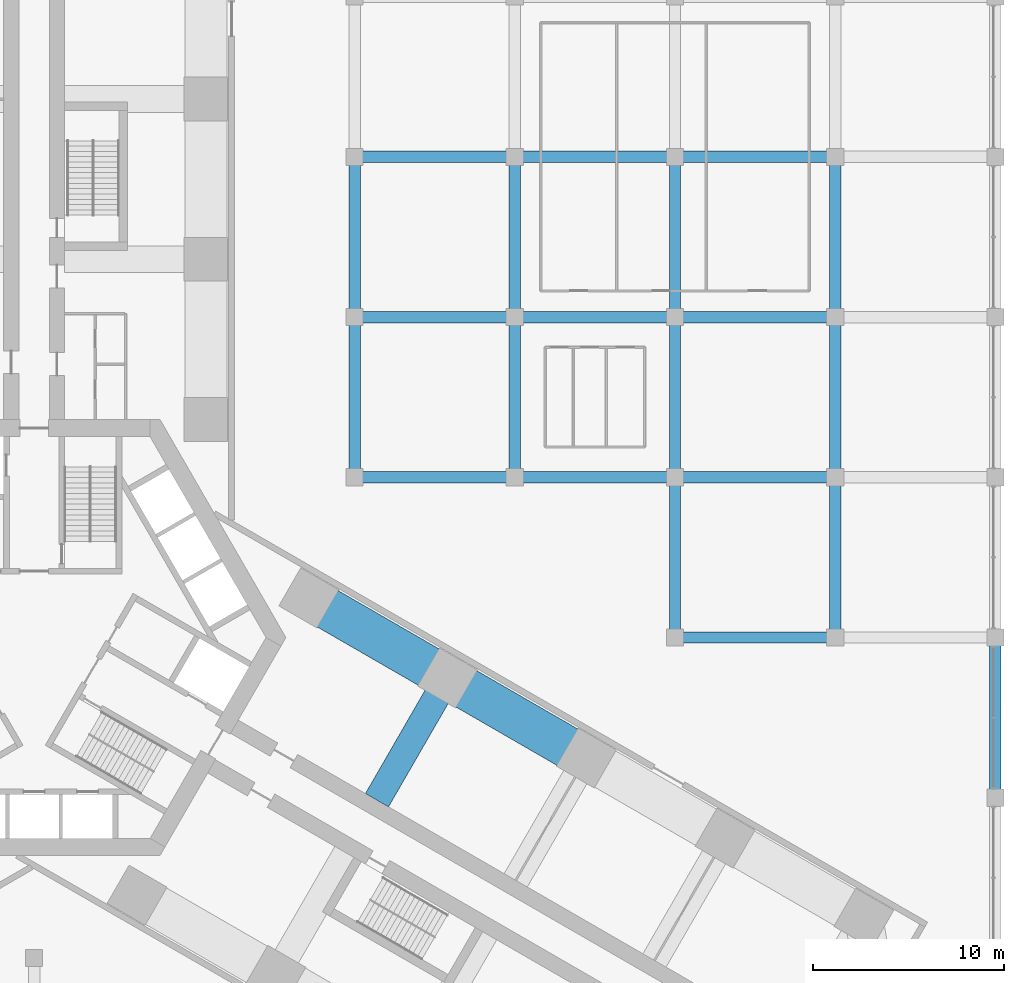
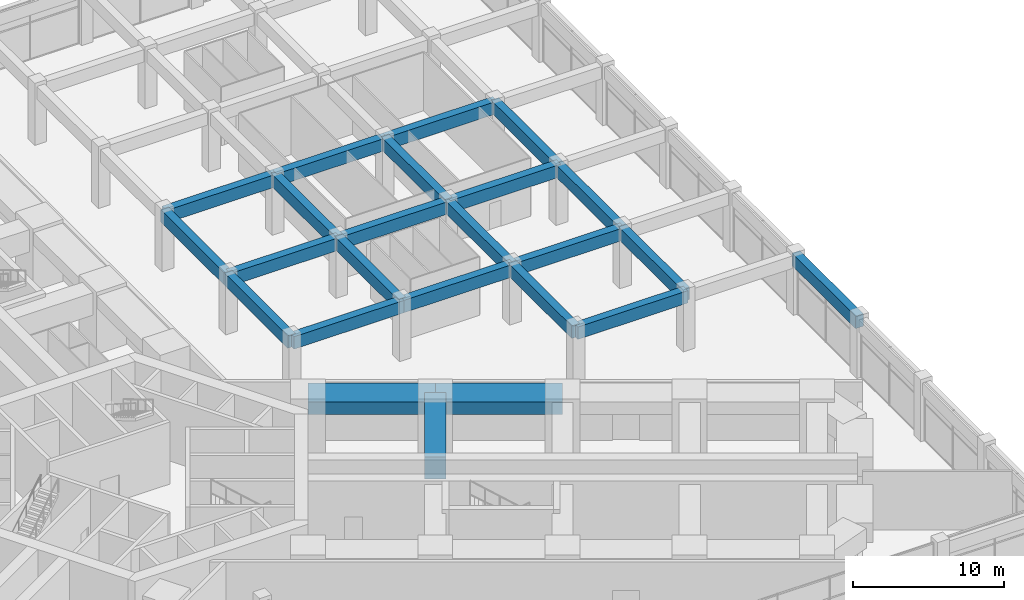
# One storey, part 14 of 36: 24 beams.
"""IFC4 building model written with IfcOpenShell, lengths in metres."""

from ifc_helpers import new_model, si_unit, direction, frame, origin, origin_2d, place, context, subcontext, project, spatial, rectangle, extrude, material, material_profile, profile_set, type_object, element, save


model = new_model("IFC4")

# Units and contexts
model_context = context("Model", 3, precision=1e-05, world=origin(), true_north=direction((0.0, 1.0)))
body_context = subcontext(model_context, "Body", "Model", "MODEL_VIEW")
ifc_project = project(units=[si_unit("LENGTHUNIT", "METRE"), si_unit("AREAUNIT", "SQUARE_METRE"), si_unit("VOLUMEUNIT", "CUBIC_METRE"), si_unit("PLANEANGLEUNIT", "RADIAN"), si_unit("MASSUNIT", "GRAM", prefix="KILO")], contexts=[model_context])

# Site, building, storey
site_placement = place(None, origin())
site = spatial("IfcSite", under=ifc_project, at=site_placement, CompositionType="ELEMENT")
building_placement = place(site_placement, origin())
building = spatial("IfcBuilding", under=site, at=building_placement, Name="Impinga Residences", CompositionType="ELEMENT")
storey_placement = place(building_placement, frame((0.0, 0.0, 6.0)))
storey = spatial("IfcBuildingStorey", under=building, at=storey_placement, Name="L01", CompositionType="ELEMENT", Elevation=6.0)

# Beams
ifc_material = material(Name="Concrete C60/75", Category="concrete")
ifc_material_profile_1 = material_profile(ifc_material, rectangle(XDim=1.39990234375, YDim=1.800048828125, at=origin_2d()), Name="RC 1400x1800")
ifc_profile_set_1 = profile_set([ifc_material_profile_1], Name="Concrete C60/75")
beam_type_1 = type_object("IfcBeamType", Name="CG4 1400x1800 cross girder on a wing bay line under the podium floors", PredefinedType="BEAM", material=ifc_profile_set_1)
beam_1_placement = place(storey_placement, frame((17.974609375, -8.530029296875, 3.800048828125), z_axis=(0.500003285667, 0.866023506795, 0.0), x_axis=(-0.866023506795, 0.500003285667, 0.0)))
element("IfcBeam", 1, at=beam_1_placement, inside=storey, type_object=beam_type_1, Name="Beam CG4 E2 EC/EA level L02", PredefinedType="BEAM", context=body_context, shape_type="SweptSolid", body=[
    extrude(rectangle(XDim=1.39990234375, YDim=1.800048828125, at=origin_2d()), origin(), (0.0, 0.0, 1.0), 7.39990234375),
])
ifc_material_profile_2 = material_profile(ifc_material, rectangle(XDim=0.60009765625, YDim=1.0, at=origin_2d()), Name="RC 600x1000")
ifc_profile_set_2 = profile_set([ifc_material_profile_2], Name="Concrete C60/75")
beam_type_2 = type_object("IfcBeamType", Name="PB2 600x1000 podium beam", PredefinedType="BEAM", material=ifc_profile_set_2)
for number, where, z_axis, x_axis, name in (
    (2, (33.60009765625, 0.0, 4.199951171875), (1.0, 0.0, 0.0), (0.0, 1.0, 0.0), "Beam PB2 F/11-12 level L02"),
    (3, (16.800048828125, 8.39990234375, 4.199951171875), (1.0, 0.0, 0.0), (0.0, 1.0, 0.0), "Beam PB2 G/9-10 level L02"),
):
    element("IfcBeam", number, at=place(storey_placement, frame(where, z_axis=z_axis, x_axis=x_axis)), inside=storey, type_object=beam_type_2, Name=name, PredefinedType="BEAM", context=body_context, shape_type="SweptSolid", body=[
        extrude(rectangle(XDim=0.60009765625, YDim=1.0, at=origin_2d()), origin(), (0.0, 0.0, 1.0), 8.39990234375),
    ])
beam_2_placement = place(storey_placement, frame((25.199951171875, 8.39990234375, 4.199951171875), z_axis=(1.0, 0.0, 0.0), x_axis=(0.0, 1.0, 0.0)))
element("IfcBeam", 4, at=beam_2_placement, inside=storey, type_object=beam_type_2, Name="Beam PB2 G/10-11 level L02", PredefinedType="BEAM", context=body_context, shape_type="SweptSolid", body=[
    extrude(rectangle(XDim=0.60009765625, YDim=1.0, at=origin_2d()), origin(), (0.0, 0.0, 1.0), 8.400146484375),
])
for number, where, z_axis, x_axis, name in (
    (5, (33.60009765625, 8.39990234375, 4.199951171875), (1.0, 0.0, 0.0), (0.0, 1.0, 0.0), "Beam PB2 G/11-12 level L02"),
    (6, (16.800048828125, 16.800048828125, 4.199951171875), (1.0, 0.0, 0.0), (0.0, 1.0, 0.0), "Beam PB2 H/9-10 level L02"),
):
    element("IfcBeam", number, at=place(storey_placement, frame(where, z_axis=z_axis, x_axis=x_axis)), inside=storey, type_object=beam_type_2, Name=name, PredefinedType="BEAM", context=body_context, shape_type="SweptSolid", body=[
        extrude(rectangle(XDim=0.60009765625, YDim=1.0, at=origin_2d()), origin(), (0.0, 0.0, 1.0), 8.39990234375),
    ])
beam_3_placement = place(storey_placement, frame((25.199951171875, 16.800048828125, 4.199951171875), z_axis=(1.0, 0.0, 0.0), x_axis=(0.0, 1.0, 0.0)))
element("IfcBeam", 7, at=beam_3_placement, inside=storey, type_object=beam_type_2, Name="Beam PB2 H/10-11 level L02", PredefinedType="BEAM", context=body_context, shape_type="SweptSolid", body=[
    extrude(rectangle(XDim=0.60009765625, YDim=1.0, at=origin_2d()), origin(), (0.0, 0.0, 1.0), 8.400146484375),
])
for number, where, z_axis, x_axis, name in (
    (8, (33.60009765625, 16.800048828125, 4.199951171875), (1.0, 0.0, 0.0), (0.0, 1.0, 0.0), "Beam PB2 H/11-12 level L02"),
    (9, (16.800048828125, 25.199951171875, 4.199951171875), (1.0, 0.0, 0.0), (0.0, 1.0, 0.0), "Beam PB2 J/9-10 level L02"),
):
    element("IfcBeam", number, at=place(storey_placement, frame(where, z_axis=z_axis, x_axis=x_axis)), inside=storey, type_object=beam_type_2, Name=name, PredefinedType="BEAM", context=body_context, shape_type="SweptSolid", body=[
        extrude(rectangle(XDim=0.60009765625, YDim=1.0, at=origin_2d()), origin(), (0.0, 0.0, 1.0), 8.39990234375),
    ])
beam_4_placement = place(storey_placement, frame((25.199951171875, 25.199951171875, 4.199951171875), z_axis=(1.0, 0.0, 0.0), x_axis=(0.0, 1.0, 0.0)))
element("IfcBeam", 10, at=beam_4_placement, inside=storey, type_object=beam_type_2, Name="Beam PB2 J/10-11 level L02", PredefinedType="BEAM", context=body_context, shape_type="SweptSolid", body=[
    extrude(rectangle(XDim=0.60009765625, YDim=1.0, at=origin_2d()), origin(), (0.0, 0.0, 1.0), 8.400146484375),
])
beam_5_placement = place(storey_placement, frame((33.60009765625, 25.199951171875, 4.199951171875), z_axis=(1.0, 0.0, 0.0), x_axis=(0.0, 1.0, 0.0)))
element("IfcBeam", 11, at=beam_5_placement, inside=storey, type_object=beam_type_2, Name="Beam PB2 J/11-12 level L02", PredefinedType="BEAM", context=body_context, shape_type="SweptSolid", body=[
    extrude(rectangle(XDim=0.60009765625, YDim=1.0, at=origin_2d()), origin(), (0.0, 0.0, 1.0), 8.39990234375),
])
beam_6_placement = place(storey_placement, frame((16.800048828125, 8.39990234375, 4.199951171875), z_axis=(0.0, 1.0, 0.0), x_axis=(-1.0, 0.0, 0.0)))
element("IfcBeam", 12, at=beam_6_placement, inside=storey, type_object=beam_type_2, Name="Beam PB2 9/G-H level L02", PredefinedType="BEAM", context=body_context, shape_type="SweptSolid", body=[
    extrude(rectangle(XDim=0.60009765625, YDim=1.0, at=origin_2d()), origin(), (0.0, 0.0, 1.0), 8.400146484375),
])
beam_7_placement = place(storey_placement, frame((16.800048828125, 16.800048828125, 4.199951171875), z_axis=(0.0, 1.0, 0.0), x_axis=(-1.0, 0.0, 0.0)))
element("IfcBeam", 13, at=beam_7_placement, inside=storey, type_object=beam_type_2, Name="Beam PB2 9/H-J level L02", PredefinedType="BEAM", context=body_context, shape_type="SweptSolid", body=[
    extrude(rectangle(XDim=0.60009765625, YDim=1.0, at=origin_2d()), origin(), (0.0, 0.0, 1.0), 8.39990234375),
])
beam_8_placement = place(storey_placement, frame((25.199951171875, 8.39990234375, 4.199951171875), z_axis=(0.0, 1.0, 0.0), x_axis=(-1.0, 0.0, 0.0)))
element("IfcBeam", 14, at=beam_8_placement, inside=storey, type_object=beam_type_2, Name="Beam PB2 10/G-H level L02", PredefinedType="BEAM", context=body_context, shape_type="SweptSolid", body=[
    extrude(rectangle(XDim=0.60009765625, YDim=1.0, at=origin_2d()), origin(), (0.0, 0.0, 1.0), 8.400146484375),
])
for number, where, z_axis, x_axis, name in (
    (15, (25.199951171875, 16.800048828125, 4.199951171875), (0.0, 1.0, 0.0), (-1.0, 0.0, 0.0), "Beam PB2 10/H-J level L02"),
    (16, (33.60009765625, 0.0, 4.199951171875), (0.0, 1.0, 0.0), (-1.0, 0.0, 0.0), "Beam PB2 11/F-G level L02"),
):
    element("IfcBeam", number, at=place(storey_placement, frame(where, z_axis=z_axis, x_axis=x_axis)), inside=storey, type_object=beam_type_2, Name=name, PredefinedType="BEAM", context=body_context, shape_type="SweptSolid", body=[
        extrude(rectangle(XDim=0.60009765625, YDim=1.0, at=origin_2d()), origin(), (0.0, 0.0, 1.0), 8.39990234375),
    ])
beam_9_placement = place(storey_placement, frame((33.60009765625, 8.39990234375, 4.199951171875), z_axis=(0.0, 1.0, 0.0), x_axis=(-1.0, 0.0, 0.0)))
element("IfcBeam", 17, at=beam_9_placement, inside=storey, type_object=beam_type_2, Name="Beam PB2 11/G-H level L02", PredefinedType="BEAM", context=body_context, shape_type="SweptSolid", body=[
    extrude(rectangle(XDim=0.60009765625, YDim=1.0, at=origin_2d()), origin(), (0.0, 0.0, 1.0), 8.400146484375),
])
for number, where, z_axis, x_axis, name in (
    (18, (33.60009765625, 16.800048828125, 4.199951171875), (0.0, 1.0, 0.0), (-1.0, 0.0, 0.0), "Beam PB2 11/H-J level L02"),
    (19, (42.0, 0.0, 4.199951171875), (0.0, 1.0, 0.0), (-1.0, 0.0, 0.0), "Beam PB2 12/F-G level L02"),
):
    element("IfcBeam", number, at=place(storey_placement, frame(where, z_axis=z_axis, x_axis=x_axis)), inside=storey, type_object=beam_type_2, Name=name, PredefinedType="BEAM", context=body_context, shape_type="SweptSolid", body=[
        extrude(rectangle(XDim=0.60009765625, YDim=1.0, at=origin_2d()), origin(), (0.0, 0.0, 1.0), 8.39990234375),
    ])
beam_10_placement = place(storey_placement, frame((42.0, 8.39990234375, 4.199951171875), z_axis=(0.0, 1.0, 0.0), x_axis=(-1.0, 0.0, 0.0)))
element("IfcBeam", 20, at=beam_10_placement, inside=storey, type_object=beam_type_2, Name="Beam PB2 12/G-H level L02", PredefinedType="BEAM", context=body_context, shape_type="SweptSolid", body=[
    extrude(rectangle(XDim=0.60009765625, YDim=1.0, at=origin_2d()), origin(), (0.0, 0.0, 1.0), 8.400146484375),
])
for number, where, z_axis, x_axis, name in (
    (21, (42.0, 16.800048828125, 4.199951171875), (0.0, 1.0, 0.0), (-1.0, 0.0, 0.0), "Beam PB2 12/H-J level L02"),
    (22, (50.39990234375, -8.39990234375, 4.199951171875), (0.0, 1.0, 0.0), (-1.0, 0.0, 0.0), "Beam PB2 13/E-F level L02"),
):
    element("IfcBeam", number, at=place(storey_placement, frame(where, z_axis=z_axis, x_axis=x_axis)), inside=storey, type_object=beam_type_2, Name=name, PredefinedType="BEAM", context=body_context, shape_type="SweptSolid", body=[
        extrude(rectangle(XDim=0.60009765625, YDim=1.0, at=origin_2d()), origin(), (0.0, 0.0, 1.0), 8.39990234375),
    ])
ifc_material_profile_3 = material_profile(ifc_material, rectangle(XDim=2.199951171875, YDim=1.0, at=origin_2d()), Name="RC 2200x1000")
ifc_profile_set_3 = profile_set([ifc_material_profile_3], Name="Concrete C60/75")
beam_type_3 = type_object("IfcBeamType", Name="PB3 2200x1000 podium band beam", PredefinedType="BEAM", material=ifc_profile_set_3)
for number, where, z_axis, x_axis, name in (
    (23, (14.39990234375, 2.078369140625, 4.199951171875), (0.86602925447, -0.499993330357, 0.0), (0.499993330357, 0.86602925447, 0.0), "Beam PB3 EA E1-E2 level L02"),
    (24, (21.674560546875, -2.12158203125, 4.199951171875), (0.86602925447, -0.499993330357, 0.0), (0.499993330357, 0.86602925447, 0.0), "Beam PB3 EA E2-E3 level L02"),
):
    element("IfcBeam", number, at=place(storey_placement, frame(where, z_axis=z_axis, x_axis=x_axis)), inside=storey, type_object=beam_type_3, Name=name, PredefinedType="BEAM", context=body_context, shape_type="SweptSolid", body=[
        extrude(rectangle(XDim=2.199951171875, YDim=1.0, at=origin_2d()), origin(), (0.0, 0.0, 1.0), 8.39990234375),
    ])

save(model, "model.ifc")
